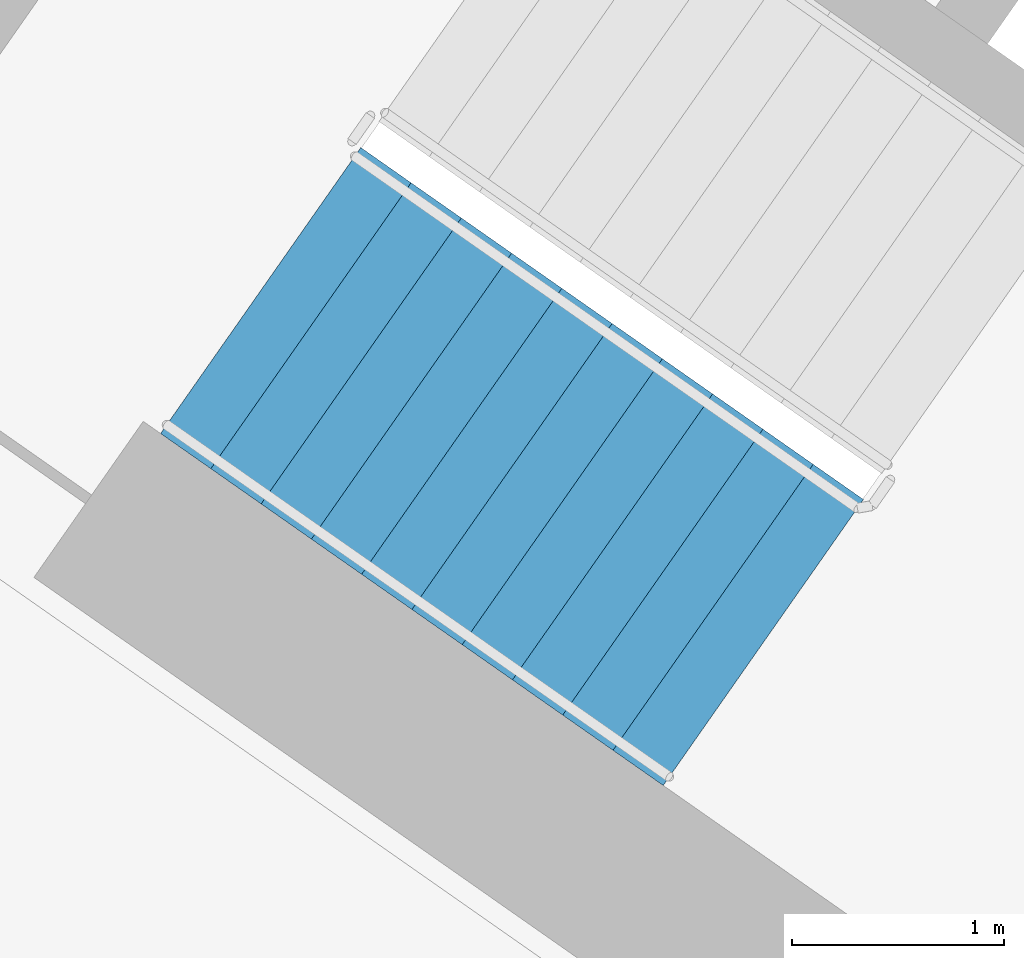
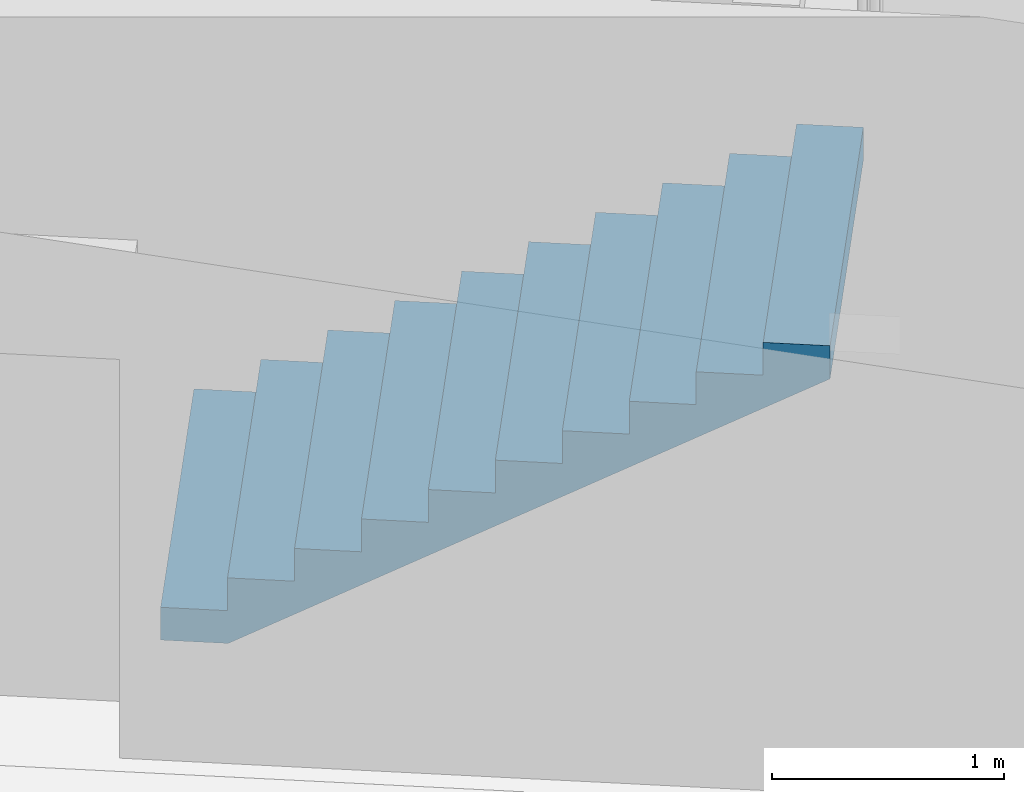
# One storey, part 10 of 29: 1 stair flight, 1 element without a shape of its own.
"""IFC4 building model written with IfcOpenShell, lengths in metres."""

from ifc_helpers import new_model, si_unit, direction, frame, origin, place, context, subcontext, project, spatial, faceted_brep, material, type_object, element, aggregate, save


model = new_model("IFC4")

# Units and contexts
model_context = context("Model", 3, precision=1e-05, world=origin(), true_north=direction((0.0, 1.0)))
body_context = subcontext(model_context, "Body", "Model", "MODEL_VIEW")
ifc_project = project(units=[si_unit("LENGTHUNIT", "METRE"), si_unit("AREAUNIT", "SQUARE_METRE"), si_unit("VOLUMEUNIT", "CUBIC_METRE"), si_unit("PLANEANGLEUNIT", "RADIAN"), si_unit("MASSUNIT", "GRAM", prefix="KILO")], contexts=[model_context])

# Site, building, storey
site_placement = place(None, origin())
site = spatial("IfcSite", under=ifc_project, at=site_placement, CompositionType="ELEMENT")
building_placement = place(site_placement, origin())
building = spatial("IfcBuilding", under=site, at=building_placement, Name="Qamariyya Broadcast Tower", CompositionType="ELEMENT")
storey_placement = place(building_placement, frame((0.0, 0.0, 44.300048828125)))
storey = spatial("IfcBuildingStorey", under=building, at=storey_placement, Name="L07", CompositionType="ELEMENT", Elevation=44.300048828125)

# Stair, stair flight
ifc_material = material(Name="Concrete C50/60", Category="concrete")
stair_type = type_object("IfcStairType", Name="Exit stair 22 risers of 173 mm", PredefinedType="HALF_TURN_STAIR", material=ifc_material)
stair_placement = place(storey_placement, origin())
stair = element("IfcStair", 1, at=stair_placement, inside=storey, type_object=stair_type, Name="L07 Stair W1", PredefinedType="HALF_TURN_STAIR")
stair_flight_type = type_object("IfcStairFlightType", Name="Exit stair flight 11 risers of 173 mm", PredefinedType="STRAIGHT", material=ifc_material)
stair_flight_placement = place(storey_placement, frame((-47.06884765625, -56.982666015625, 0.0), z_axis=(0.0, 0.0, 1.0), x_axis=(0.819152044289, -0.573576436351, 0.0)))
stair_flight = element("IfcStairFlight", 2, at=stair_flight_placement, type_object=stair_flight_type, Name="ST-W1 flight 1", NumberOfRisers=11, NumberOfTreads=10, PredefinedType="STRAIGHT", RiserHeight=0.172727273, TreadLength=0.29, context=body_context, shape_type="Brep", body=[
    faceted_brep([(0.0, 0.824951171875, 0.0), (0.0, 0.824951171875, 0.172607421875), (0.2900390625, 0.824951171875, 0.172607421875), (0.2900390625, 0.824951171875, 0.345458984375), (0.580078125, 0.824951171875, 0.345458984375), (0.580078125, 0.824951171875, 0.51806640625), (0.8701171875, 0.824951171875, 0.51806640625), (0.8701171875, 0.824951171875, 0.69091796875), (1.159912109375, 0.824951171875, 0.69091796875), (1.159912109375, 0.824951171875, 0.863525390625), (1.449951171875, 0.824951171875, 0.863525390625), (1.449951171875, 0.824951171875, 1.036376953125), (1.739990234375, 0.824951171875, 1.036376953125), (1.739990234375, 0.824951171875, 1.208984375), (2.030029296875, 0.824951171875, 1.208984375), (2.030029296875, 0.824951171875, 1.3818359375), (2.320068359375, 0.824951171875, 1.3818359375), (2.320068359375, 0.824951171875, 1.554443359375), (2.610107421875, 0.824951171875, 1.554443359375), (2.610107421875, 0.824951171875, 1.727294921875), (2.89990234375, 0.824951171875, 1.727294921875), (2.89990234375, 0.824951171875, 1.552734375), (0.29296875, 0.824951171875, 0.0), (0.29296875, -0.824951171875, 0.0), (2.89990234375, -0.824951171875, 1.552734375), (2.89990234375, -0.824951171875, 1.727294921875), (2.610107421875, -0.824951171875, 1.727294921875), (2.610107421875, -0.824951171875, 1.554443359375), (2.320068359375, -0.824951171875, 1.554443359375), (2.320068359375, -0.824951171875, 1.3818359375), (2.030029296875, -0.824951171875, 1.3818359375), (2.030029296875, -0.824951171875, 1.208984375), (1.739990234375, -0.824951171875, 1.208984375), (1.739990234375, -0.824951171875, 1.036376953125), (1.449951171875, -0.824951171875, 1.036376953125), (1.449951171875, -0.824951171875, 0.863525390625), (1.159912109375, -0.824951171875, 0.863525390625), (1.159912109375, -0.824951171875, 0.69091796875), (0.8701171875, -0.824951171875, 0.69091796875), (0.8701171875, -0.824951171875, 0.51806640625), (0.580078125, -0.824951171875, 0.51806640625), (0.580078125, -0.824951171875, 0.345458984375), (0.2900390625, -0.824951171875, 0.345458984375), (0.2900390625, -0.824951171875, 0.172607421875), (0.0, -0.824951171875, 0.172607421875), (0.0, -0.824951171875, 0.0), (0.0, 0.10009765625, 0.0), (0.0, 0.086669921875, 0.0), (0.0, 0.0732421875, 0.0), (0.0, 0.06005859375, 0.0), (0.0, 0.046630859375, 0.0), (0.0, 0.033447265625, 0.0), (0.0, 0.02001953125, 0.0), (0.0, 0.006591796875, 0.0), (0.0, -0.006591796875, 0.0), (0.0, -0.02001953125, 0.0), (0.0, -0.033447265625, 0.0), (0.0, -0.046630859375, 0.0), (0.0, -0.06005859375, 0.0), (0.0, -0.0732421875, 0.0), (0.0, -0.086669921875, 0.0), (0.0, -0.10009765625, 0.0), (0.0, -0.10009765625, 0.172607421875), (0.0, -0.086669921875, 0.172607421875), (0.0, -0.0732421875, 0.172607421875), (0.0, -0.06005859375, 0.172607421875), (0.0, -0.046630859375, 0.172607421875), (0.0, -0.033447265625, 0.172607421875), (0.0, -0.02001953125, 0.172607421875), (0.0, -0.006591796875, 0.172607421875), (0.0, 0.006591796875, 0.172607421875), (0.0, 0.02001953125, 0.172607421875), (0.0, 0.033447265625, 0.172607421875), (0.0, 0.046630859375, 0.172607421875), (0.0, 0.06005859375, 0.172607421875), (0.0, 0.0732421875, 0.172607421875), (0.0, 0.086669921875, 0.172607421875), (0.0, 0.10009765625, 0.172607421875), (0.2900390625, -0.10009765625, 0.172607421875), (0.2900390625, -0.086669921875, 0.172607421875), (0.2900390625, -0.0732421875, 0.172607421875), (0.2900390625, -0.06005859375, 0.172607421875), (0.2900390625, -0.046630859375, 0.172607421875), (0.2900390625, -0.033447265625, 0.172607421875), (0.2900390625, -0.02001953125, 0.172607421875), (0.2900390625, -0.006591796875, 0.172607421875), (0.2900390625, 0.006591796875, 0.172607421875), (0.2900390625, 0.02001953125, 0.172607421875), (0.2900390625, 0.033447265625, 0.172607421875), (0.2900390625, 0.046630859375, 0.172607421875), (0.2900390625, 0.06005859375, 0.172607421875), (0.2900390625, 0.0732421875, 0.172607421875), (0.2900390625, 0.086669921875, 0.172607421875), (0.2900390625, 0.10009765625, 0.172607421875), (0.2900390625, -0.10009765625, 0.345458984375), (0.2900390625, -0.086669921875, 0.345458984375), (0.2900390625, -0.0732421875, 0.345458984375), (0.2900390625, -0.06005859375, 0.345458984375), (0.2900390625, -0.046630859375, 0.345458984375), (0.2900390625, -0.033447265625, 0.345458984375), (0.2900390625, -0.02001953125, 0.345458984375), (0.2900390625, -0.006591796875, 0.345458984375), (0.2900390625, 0.006591796875, 0.345458984375), (0.2900390625, 0.02001953125, 0.345458984375), (0.2900390625, 0.033447265625, 0.345458984375), (0.2900390625, 0.046630859375, 0.345458984375), (0.2900390625, 0.06005859375, 0.345458984375), (0.2900390625, 0.0732421875, 0.345458984375), (0.2900390625, 0.086669921875, 0.345458984375), (0.2900390625, 0.10009765625, 0.345458984375), (0.580078125, -0.10009765625, 0.345458984375), (0.580078125, -0.086669921875, 0.345458984375), (0.580078125, -0.0732421875, 0.345458984375), (0.580078125, -0.06005859375, 0.345458984375), (0.580078125, -0.046630859375, 0.345458984375), (0.580078125, -0.033447265625, 0.345458984375), (0.580078125, -0.02001953125, 0.345458984375), (0.580078125, -0.006591796875, 0.345458984375), (0.580078125, 0.006591796875, 0.345458984375), (0.580078125, 0.02001953125, 0.345458984375), (0.580078125, 0.033447265625, 0.345458984375), (0.580078125, 0.046630859375, 0.345458984375), (0.580078125, 0.06005859375, 0.345458984375), (0.580078125, 0.0732421875, 0.345458984375), (0.580078125, 0.086669921875, 0.345458984375), (0.580078125, 0.10009765625, 0.345458984375), (0.580078125, -0.10009765625, 0.51806640625), (0.580078125, -0.086669921875, 0.51806640625), (0.580078125, -0.0732421875, 0.51806640625), (0.580078125, -0.06005859375, 0.51806640625), (0.580078125, -0.046630859375, 0.51806640625), (0.580078125, -0.033447265625, 0.51806640625), (0.580078125, -0.02001953125, 0.51806640625), (0.580078125, -0.006591796875, 0.51806640625), (0.580078125, 0.006591796875, 0.51806640625), (0.580078125, 0.02001953125, 0.51806640625), (0.580078125, 0.033447265625, 0.51806640625), (0.580078125, 0.046630859375, 0.51806640625), (0.580078125, 0.06005859375, 0.51806640625), (0.580078125, 0.0732421875, 0.51806640625), (0.580078125, 0.086669921875, 0.51806640625), (0.580078125, 0.10009765625, 0.51806640625), (0.8701171875, -0.10009765625, 0.51806640625), (0.8701171875, -0.086669921875, 0.51806640625), (0.8701171875, -0.0732421875, 0.51806640625), (0.8701171875, -0.06005859375, 0.51806640625), (0.8701171875, -0.046630859375, 0.51806640625), (0.8701171875, -0.033447265625, 0.51806640625), (0.8701171875, -0.02001953125, 0.51806640625), (0.8701171875, -0.006591796875, 0.51806640625), (0.8701171875, 0.006591796875, 0.51806640625), (0.8701171875, 0.02001953125, 0.51806640625), (0.8701171875, 0.033447265625, 0.51806640625), (0.8701171875, 0.046630859375, 0.51806640625), (0.8701171875, 0.06005859375, 0.51806640625), (0.8701171875, 0.0732421875, 0.51806640625), (0.8701171875, 0.086669921875, 0.51806640625), (0.8701171875, 0.10009765625, 0.51806640625), (0.8701171875, -0.10009765625, 0.69091796875), (0.8701171875, -0.086669921875, 0.69091796875), (0.8701171875, -0.0732421875, 0.69091796875), (0.8701171875, -0.06005859375, 0.69091796875), (0.8701171875, -0.046630859375, 0.69091796875), (0.8701171875, -0.033447265625, 0.69091796875), (0.8701171875, -0.02001953125, 0.69091796875), (0.8701171875, -0.006591796875, 0.69091796875), (0.8701171875, 0.006591796875, 0.69091796875), (0.8701171875, 0.02001953125, 0.69091796875), (0.8701171875, 0.033447265625, 0.69091796875), (0.8701171875, 0.046630859375, 0.69091796875), (0.8701171875, 0.06005859375, 0.69091796875), (0.8701171875, 0.0732421875, 0.69091796875), (0.8701171875, 0.086669921875, 0.69091796875), (0.8701171875, 0.10009765625, 0.69091796875), (1.159912109375, -0.10009765625, 0.69091796875), (1.159912109375, -0.086669921875, 0.69091796875), (1.159912109375, -0.0732421875, 0.69091796875), (1.159912109375, -0.06005859375, 0.69091796875), (1.159912109375, -0.046630859375, 0.69091796875), (1.159912109375, -0.033447265625, 0.69091796875), (1.159912109375, -0.02001953125, 0.69091796875), (1.159912109375, -0.006591796875, 0.69091796875), (1.159912109375, 0.006591796875, 0.69091796875), (1.159912109375, 0.02001953125, 0.69091796875), (1.159912109375, 0.033447265625, 0.69091796875), (1.159912109375, 0.046630859375, 0.69091796875), (1.159912109375, 0.06005859375, 0.69091796875), (1.159912109375, 0.0732421875, 0.69091796875), (1.159912109375, 0.086669921875, 0.69091796875), (1.159912109375, 0.10009765625, 0.69091796875), (1.159912109375, -0.10009765625, 0.863525390625), (1.159912109375, -0.086669921875, 0.863525390625), (1.159912109375, -0.0732421875, 0.863525390625), (1.159912109375, -0.06005859375, 0.863525390625), (1.159912109375, -0.046630859375, 0.863525390625), (1.159912109375, -0.033447265625, 0.863525390625), (1.159912109375, -0.02001953125, 0.863525390625), (1.159912109375, -0.006591796875, 0.863525390625), (1.159912109375, 0.006591796875, 0.863525390625), (1.159912109375, 0.02001953125, 0.863525390625), (1.159912109375, 0.033447265625, 0.863525390625), (1.159912109375, 0.046630859375, 0.863525390625), (1.159912109375, 0.06005859375, 0.863525390625), (1.159912109375, 0.0732421875, 0.863525390625), (1.159912109375, 0.086669921875, 0.863525390625), (1.159912109375, 0.10009765625, 0.863525390625), (1.449951171875, -0.10009765625, 0.863525390625), (1.449951171875, -0.086669921875, 0.863525390625), (1.449951171875, -0.0732421875, 0.863525390625), (1.449951171875, -0.06005859375, 0.863525390625), (1.449951171875, -0.046630859375, 0.863525390625), (1.449951171875, -0.033447265625, 0.863525390625), (1.449951171875, -0.02001953125, 0.863525390625), (1.449951171875, -0.006591796875, 0.863525390625), (1.449951171875, 0.006591796875, 0.863525390625), (1.449951171875, 0.02001953125, 0.863525390625), (1.449951171875, 0.033447265625, 0.863525390625), (1.449951171875, 0.046630859375, 0.863525390625), (1.449951171875, 0.06005859375, 0.863525390625), (1.449951171875, 0.0732421875, 0.863525390625), (1.449951171875, 0.086669921875, 0.863525390625), (1.449951171875, 0.10009765625, 0.863525390625), (1.449951171875, -0.10009765625, 1.036376953125), (1.449951171875, -0.086669921875, 1.036376953125), (1.449951171875, -0.0732421875, 1.036376953125), (1.449951171875, -0.06005859375, 1.036376953125), (1.449951171875, -0.046630859375, 1.036376953125), (1.449951171875, -0.033447265625, 1.036376953125), (1.449951171875, -0.02001953125, 1.036376953125), (1.449951171875, -0.006591796875, 1.036376953125), (1.449951171875, 0.006591796875, 1.036376953125), (1.449951171875, 0.02001953125, 1.036376953125), (1.449951171875, 0.033447265625, 1.036376953125), (1.449951171875, 0.046630859375, 1.036376953125), (1.449951171875, 0.06005859375, 1.036376953125), (1.449951171875, 0.0732421875, 1.036376953125), (1.449951171875, 0.086669921875, 1.036376953125), (1.449951171875, 0.10009765625, 1.036376953125), (1.739990234375, -0.10009765625, 1.036376953125), (1.739990234375, -0.086669921875, 1.036376953125), (1.739990234375, -0.0732421875, 1.036376953125), (1.739990234375, -0.06005859375, 1.036376953125), (1.739990234375, -0.046630859375, 1.036376953125), (1.739990234375, -0.033447265625, 1.036376953125), (1.739990234375, -0.02001953125, 1.036376953125), (1.739990234375, -0.006591796875, 1.036376953125), (1.739990234375, 0.006591796875, 1.036376953125), (1.739990234375, 0.02001953125, 1.036376953125), (1.739990234375, 0.033447265625, 1.036376953125), (1.739990234375, 0.046630859375, 1.036376953125), (1.739990234375, 0.06005859375, 1.036376953125), (1.739990234375, 0.0732421875, 1.036376953125), (1.739990234375, 0.086669921875, 1.036376953125), (1.739990234375, 0.10009765625, 1.036376953125), (1.739990234375, -0.10009765625, 1.208984375), (1.739990234375, -0.086669921875, 1.208984375), (1.739990234375, -0.0732421875, 1.208984375), (1.739990234375, -0.06005859375, 1.208984375), (1.739990234375, -0.046630859375, 1.208984375), (1.739990234375, -0.033447265625, 1.208984375), (1.739990234375, -0.02001953125, 1.208984375), (1.739990234375, -0.006591796875, 1.208984375), (1.739990234375, 0.006591796875, 1.208984375), (1.739990234375, 0.02001953125, 1.208984375), (1.739990234375, 0.033447265625, 1.208984375), (1.739990234375, 0.046630859375, 1.208984375), (1.739990234375, 0.06005859375, 1.208984375), (1.739990234375, 0.0732421875, 1.208984375), (1.739990234375, 0.086669921875, 1.208984375), (1.739990234375, 0.10009765625, 1.208984375), (2.030029296875, -0.10009765625, 1.208984375), (2.030029296875, -0.086669921875, 1.208984375), (2.030029296875, -0.0732421875, 1.208984375), (2.030029296875, -0.06005859375, 1.208984375), (2.030029296875, -0.046630859375, 1.208984375), (2.030029296875, -0.033447265625, 1.208984375), (2.030029296875, -0.02001953125, 1.208984375), (2.030029296875, -0.006591796875, 1.208984375), (2.030029296875, 0.006591796875, 1.208984375), (2.030029296875, 0.02001953125, 1.208984375), (2.030029296875, 0.033447265625, 1.208984375), (2.030029296875, 0.046630859375, 1.208984375), (2.030029296875, 0.06005859375, 1.208984375), (2.030029296875, 0.0732421875, 1.208984375), (2.030029296875, 0.086669921875, 1.208984375), (2.030029296875, 0.10009765625, 1.208984375), (2.030029296875, -0.10009765625, 1.3818359375), (2.030029296875, -0.086669921875, 1.3818359375), (2.030029296875, -0.0732421875, 1.3818359375), (2.030029296875, -0.06005859375, 1.3818359375), (2.030029296875, -0.046630859375, 1.3818359375), (2.030029296875, -0.033447265625, 1.3818359375), (2.030029296875, -0.02001953125, 1.3818359375), (2.030029296875, -0.006591796875, 1.3818359375), (2.030029296875, 0.006591796875, 1.3818359375), (2.030029296875, 0.02001953125, 1.3818359375), (2.030029296875, 0.033447265625, 1.3818359375), (2.030029296875, 0.046630859375, 1.3818359375), (2.030029296875, 0.06005859375, 1.3818359375), (2.030029296875, 0.0732421875, 1.3818359375), (2.030029296875, 0.086669921875, 1.3818359375), (2.030029296875, 0.10009765625, 1.3818359375), (2.320068359375, -0.10009765625, 1.3818359375), (2.320068359375, -0.086669921875, 1.3818359375), (2.320068359375, -0.0732421875, 1.3818359375), (2.320068359375, -0.06005859375, 1.3818359375), (2.320068359375, -0.046630859375, 1.3818359375), (2.320068359375, -0.033447265625, 1.3818359375), (2.320068359375, -0.02001953125, 1.3818359375), (2.320068359375, -0.006591796875, 1.3818359375), (2.320068359375, 0.006591796875, 1.3818359375), (2.320068359375, 0.02001953125, 1.3818359375), (2.320068359375, 0.033447265625, 1.3818359375), (2.320068359375, 0.046630859375, 1.3818359375), (2.320068359375, 0.06005859375, 1.3818359375), (2.320068359375, 0.0732421875, 1.3818359375), (2.320068359375, 0.086669921875, 1.3818359375), (2.320068359375, 0.10009765625, 1.3818359375), (2.320068359375, -0.10009765625, 1.554443359375), (2.320068359375, -0.086669921875, 1.554443359375), (2.320068359375, -0.0732421875, 1.554443359375), (2.320068359375, -0.06005859375, 1.554443359375), (2.320068359375, -0.046630859375, 1.554443359375), (2.320068359375, -0.033447265625, 1.554443359375), (2.320068359375, -0.02001953125, 1.554443359375), (2.320068359375, -0.006591796875, 1.554443359375), (2.320068359375, 0.006591796875, 1.554443359375), (2.320068359375, 0.02001953125, 1.554443359375), (2.320068359375, 0.033447265625, 1.554443359375), (2.320068359375, 0.046630859375, 1.554443359375), (2.320068359375, 0.06005859375, 1.554443359375), (2.320068359375, 0.0732421875, 1.554443359375), (2.320068359375, 0.086669921875, 1.554443359375), (2.320068359375, 0.10009765625, 1.554443359375), (2.610107421875, -0.10009765625, 1.554443359375), (2.610107421875, -0.086669921875, 1.554443359375), (2.610107421875, -0.0732421875, 1.554443359375), (2.610107421875, -0.06005859375, 1.554443359375), (2.610107421875, -0.046630859375, 1.554443359375), (2.610107421875, -0.033447265625, 1.554443359375), (2.610107421875, -0.02001953125, 1.554443359375), (2.610107421875, -0.006591796875, 1.554443359375), (2.610107421875, 0.006591796875, 1.554443359375), (2.610107421875, 0.02001953125, 1.554443359375), (2.610107421875, 0.033447265625, 1.554443359375), (2.610107421875, 0.046630859375, 1.554443359375), (2.610107421875, 0.06005859375, 1.554443359375), (2.610107421875, 0.0732421875, 1.554443359375), (2.610107421875, 0.086669921875, 1.554443359375), (2.610107421875, 0.10009765625, 1.554443359375), (2.610107421875, -0.10009765625, 1.727294921875), (2.610107421875, -0.086669921875, 1.727294921875), (2.610107421875, -0.0732421875, 1.727294921875), (2.610107421875, -0.06005859375, 1.727294921875), (2.610107421875, -0.046630859375, 1.727294921875), (2.610107421875, -0.033447265625, 1.727294921875), (2.610107421875, -0.02001953125, 1.727294921875), (2.610107421875, -0.006591796875, 1.727294921875), (2.610107421875, 0.006591796875, 1.727294921875), (2.610107421875, 0.02001953125, 1.727294921875), (2.610107421875, 0.033447265625, 1.727294921875), (2.610107421875, 0.046630859375, 1.727294921875), (2.610107421875, 0.06005859375, 1.727294921875), (2.610107421875, 0.0732421875, 1.727294921875), (2.610107421875, 0.086669921875, 1.727294921875), (2.610107421875, 0.10009765625, 1.727294921875), (2.89990234375, -0.10009765625, 1.727294921875), (2.89990234375, -0.086669921875, 1.727294921875), (2.89990234375, -0.0732421875, 1.727294921875), (2.89990234375, -0.06005859375, 1.727294921875), (2.89990234375, -0.046630859375, 1.727294921875), (2.89990234375, -0.033447265625, 1.727294921875), (2.89990234375, -0.02001953125, 1.727294921875), (2.89990234375, -0.006591796875, 1.727294921875), (2.89990234375, 0.006591796875, 1.727294921875), (2.89990234375, 0.02001953125, 1.727294921875), (2.89990234375, 0.033447265625, 1.727294921875), (2.89990234375, 0.046630859375, 1.727294921875), (2.89990234375, 0.06005859375, 1.727294921875), (2.89990234375, 0.0732421875, 1.727294921875), (2.89990234375, 0.086669921875, 1.727294921875), (2.89990234375, 0.10009765625, 1.727294921875), (2.89990234375, -0.10009765625, 1.552734375), (2.89990234375, -0.086669921875, 1.552734375), (2.89990234375, -0.0732421875, 1.552734375), (2.89990234375, -0.06005859375, 1.552734375), (2.89990234375, -0.046630859375, 1.552734375), (2.89990234375, -0.033447265625, 1.552734375), (2.89990234375, -0.02001953125, 1.552734375), (2.89990234375, -0.006591796875, 1.552734375), (2.89990234375, 0.006591796875, 1.552734375), (2.89990234375, 0.02001953125, 1.552734375), (2.89990234375, 0.033447265625, 1.552734375), (2.89990234375, 0.046630859375, 1.552734375), (2.89990234375, 0.06005859375, 1.552734375), (2.89990234375, 0.0732421875, 1.552734375), (2.89990234375, 0.086669921875, 1.552734375), (2.89990234375, 0.10009765625, 1.552734375), (0.29296875, -0.10009765625, 0.0), (0.29296875, -0.086669921875, 0.0), (0.29296875, -0.0732421875, 0.0), (0.29296875, -0.06005859375, 0.0), (0.29296875, -0.046630859375, 0.0), (0.29296875, -0.033447265625, 0.0), (0.29296875, -0.02001953125, 0.0), (0.29296875, -0.006591796875, 0.0), (0.29296875, 0.006591796875, 0.0), (0.29296875, 0.02001953125, 0.0), (0.29296875, 0.033447265625, 0.0), (0.29296875, 0.046630859375, 0.0), (0.29296875, 0.06005859375, 0.0), (0.29296875, 0.0732421875, 0.0), (0.29296875, 0.086669921875, 0.0), (0.29296875, 0.10009765625, 0.0)], [[[0, 1, 2, 3, 4, 5, 6, 7, 8, 9, 10, 11, 12, 13, 14, 15, 16, 17, 18, 19, 20, 21, 22]], [[23, 24, 25, 26, 27, 28, 29, 30, 31, 32, 33, 34, 35, 36, 37, 38, 39, 40, 41, 42, 43, 44, 45]], [[0, 46, 47, 48, 49, 50, 51, 52, 53, 54, 55, 56, 57, 58, 59, 60, 61, 45, 44, 62, 63, 64, 65, 66, 67, 68, 69, 70, 71, 72, 73, 74, 75, 76, 77, 1]], [[1, 77, 76, 75, 74, 73, 72, 71, 70, 69, 68, 67, 66, 65, 64, 63, 62, 44, 43, 78, 79, 80, 81, 82, 83, 84, 85, 86, 87, 88, 89, 90, 91, 92, 93, 2]], [[2, 93, 92, 91, 90, 89, 88, 87, 86, 85, 84, 83, 82, 81, 80, 79, 78, 43, 42, 94, 95, 96, 97, 98, 99, 100, 101, 102, 103, 104, 105, 106, 107, 108, 109, 3]], [[3, 109, 108, 107, 106, 105, 104, 103, 102, 101, 100, 99, 98, 97, 96, 95, 94, 42, 41, 110, 111, 112, 113, 114, 115, 116, 117, 118, 119, 120, 121, 122, 123, 124, 125, 4]], [[4, 125, 124, 123, 122, 121, 120, 119, 118, 117, 116, 115, 114, 113, 112, 111, 110, 41, 40, 126, 127, 128, 129, 130, 131, 132, 133, 134, 135, 136, 137, 138, 139, 140, 141, 5]], [[5, 141, 140, 139, 138, 137, 136, 135, 134, 133, 132, 131, 130, 129, 128, 127, 126, 40, 39, 142, 143, 144, 145, 146, 147, 148, 149, 150, 151, 152, 153, 154, 155, 156, 157, 6]], [[6, 157, 156, 155, 154, 153, 152, 151, 150, 149, 148, 147, 146, 145, 144, 143, 142, 39, 38, 158, 159, 160, 161, 162, 163, 164, 165, 166, 167, 168, 169, 170, 171, 172, 173, 7]], [[7, 173, 172, 171, 170, 169, 168, 167, 166, 165, 164, 163, 162, 161, 160, 159, 158, 38, 37, 174, 175, 176, 177, 178, 179, 180, 181, 182, 183, 184, 185, 186, 187, 188, 189, 8]], [[8, 189, 188, 187, 186, 185, 184, 183, 182, 181, 180, 179, 178, 177, 176, 175, 174, 37, 36, 190, 191, 192, 193, 194, 195, 196, 197, 198, 199, 200, 201, 202, 203, 204, 205, 9]], [[9, 205, 204, 203, 202, 201, 200, 199, 198, 197, 196, 195, 194, 193, 192, 191, 190, 36, 35, 206, 207, 208, 209, 210, 211, 212, 213, 214, 215, 216, 217, 218, 219, 220, 221, 10]], [[10, 221, 220, 219, 218, 217, 216, 215, 214, 213, 212, 211, 210, 209, 208, 207, 206, 35, 34, 222, 223, 224, 225, 226, 227, 228, 229, 230, 231, 232, 233, 234, 235, 236, 237, 11]], [[11, 237, 236, 235, 234, 233, 232, 231, 230, 229, 228, 227, 226, 225, 224, 223, 222, 34, 33, 238, 239, 240, 241, 242, 243, 244, 245, 246, 247, 248, 249, 250, 251, 252, 253, 12]], [[12, 253, 252, 251, 250, 249, 248, 247, 246, 245, 244, 243, 242, 241, 240, 239, 238, 33, 32, 254, 255, 256, 257, 258, 259, 260, 261, 262, 263, 264, 265, 266, 267, 268, 269, 13]], [[13, 269, 268, 267, 266, 265, 264, 263, 262, 261, 260, 259, 258, 257, 256, 255, 254, 32, 31, 270, 271, 272, 273, 274, 275, 276, 277, 278, 279, 280, 281, 282, 283, 284, 285, 14]], [[14, 285, 284, 283, 282, 281, 280, 279, 278, 277, 276, 275, 274, 273, 272, 271, 270, 31, 30, 286, 287, 288, 289, 290, 291, 292, 293, 294, 295, 296, 297, 298, 299, 300, 301, 15]], [[15, 301, 300, 299, 298, 297, 296, 295, 294, 293, 292, 291, 290, 289, 288, 287, 286, 30, 29, 302, 303, 304, 305, 306, 307, 308, 309, 310, 311, 312, 313, 314, 315, 316, 317, 16]], [[16, 317, 316, 315, 314, 313, 312, 311, 310, 309, 308, 307, 306, 305, 304, 303, 302, 29, 28, 318, 319, 320, 321, 322, 323, 324, 325, 326, 327, 328, 329, 330, 331, 332, 333, 17]], [[17, 333, 332, 331, 330, 329, 328, 327, 326, 325, 324, 323, 322, 321, 320, 319, 318, 28, 27, 334, 335, 336, 337, 338, 339, 340, 341, 342, 343, 344, 345, 346, 347, 348, 349, 18]], [[18, 349, 348, 347, 346, 345, 344, 343, 342, 341, 340, 339, 338, 337, 336, 335, 334, 27, 26, 350, 351, 352, 353, 354, 355, 356, 357, 358, 359, 360, 361, 362, 363, 364, 365, 19]], [[19, 365, 364, 363, 362, 361, 360, 359, 358, 357, 356, 355, 354, 353, 352, 351, 350, 26, 25, 366, 367, 368, 369, 370, 371, 372, 373, 374, 375, 376, 377, 378, 379, 380, 381, 20]], [[20, 381, 380, 379, 378, 377, 376, 375, 374, 373, 372, 371, 370, 369, 368, 367, 366, 25, 24, 382, 383, 384, 385, 386, 387, 388, 389, 390, 391, 392, 393, 394, 395, 396, 397, 21]], [[21, 397, 396, 395, 394, 393, 392, 391, 390, 389, 388, 387, 386, 385, 384, 383, 382, 24, 23, 398, 399, 400, 401, 402, 403, 404, 405, 406, 407, 408, 409, 410, 411, 412, 413, 22]], [[22, 413, 412, 411, 410, 409, 408, 407, 406, 405, 404, 403, 402, 401, 400, 399, 398, 23, 45, 61, 60, 59, 58, 57, 56, 55, 54, 53, 52, 51, 50, 49, 48, 47, 46, 0]]]),
])
aggregate(stair, [stair_flight])

save(model, "model.ifc")
